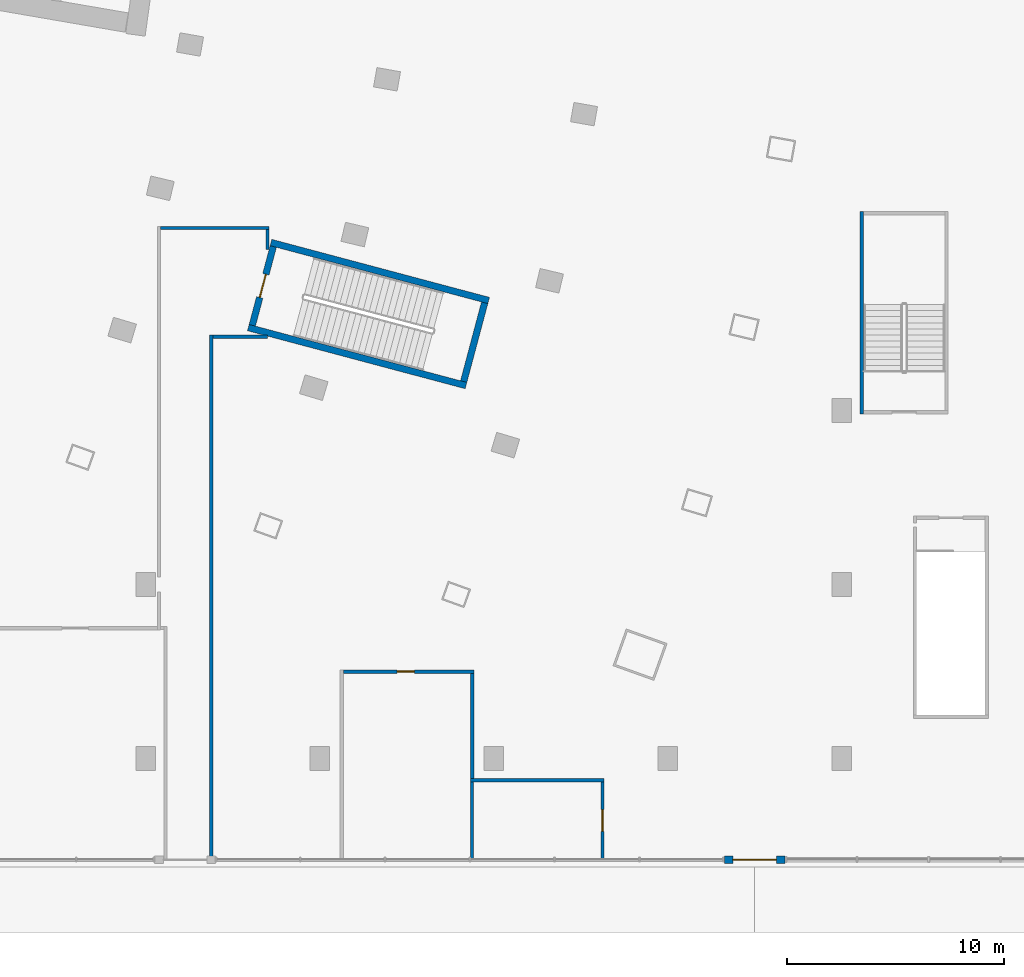
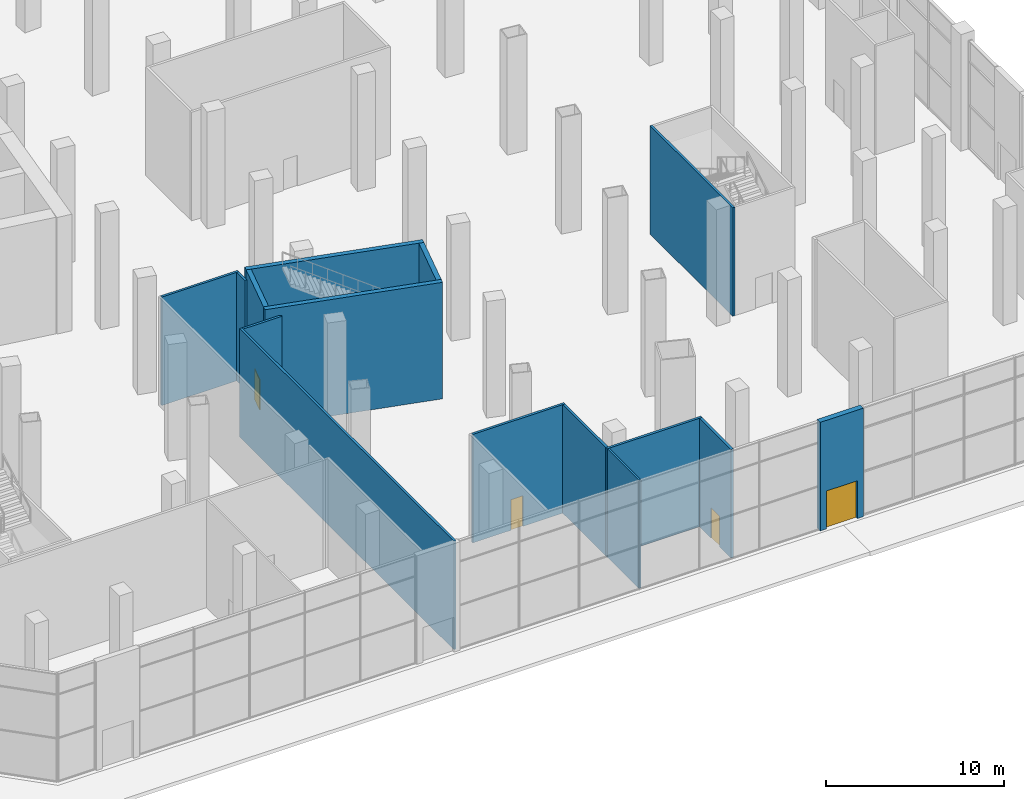
# One storey, part 13 of 33: 15 walls, 4 doors, 4 openings.
"""IFC4 building model written with IfcOpenShell, lengths in metres."""

from ifc_helpers import new_model, si_unit, direction, frame, frame_2d, origin, place, context, subcontext, project, spatial, rectangle, extrude, material, layer, layer_set, type_object, element, fill, save


model = new_model("IFC4")

# Units and contexts
model_context = context("Model", 3, precision=1e-05, world=origin(), true_north=direction((0.0, 1.0)))
body_context = subcontext(model_context, "Body", "Model", "MODEL_VIEW")
ifc_project = project(units=[si_unit("LENGTHUNIT", "METRE"), si_unit("AREAUNIT", "SQUARE_METRE"), si_unit("VOLUMEUNIT", "CUBIC_METRE"), si_unit("PLANEANGLEUNIT", "RADIAN"), si_unit("MASSUNIT", "GRAM", prefix="KILO")], contexts=[model_context])

# Site, building, storey
site_placement = place(None, origin())
site = spatial("IfcSite", under=ifc_project, at=site_placement, CompositionType="ELEMENT")
building_placement = place(site_placement, origin())
building = spatial("IfcBuilding", under=site, at=building_placement, Name="Alderwake Tower", CompositionType="ELEMENT")
storey_placement = place(building_placement, origin())
storey = spatial("IfcBuildingStorey", under=building, at=storey_placement, Name="L00", CompositionType="ELEMENT", Elevation=0.0)

# Walls
ifc_material_1 = material(Name="Concrete C70/85", Category="concrete")
ifc_layer_1 = layer(ifc_material_1, 0.300048828125)
ifc_layer_set_1 = layer_set([ifc_layer_1], Name="Core wall stair enclosure 300 C70-85")
wall_type_1 = type_object("IfcWallType", Name="Core wall stair enclosure 300 C70-85", PredefinedType="SHEAR", material=ifc_layer_set_1)
for number, where, z_axis, x_axis, name in (
    (1, (37.75390625, 31.731201171875, 0.0), (0.0, 0.0, 1.0), (0.966309214305, -0.257383958996, 0.0), "Core wall CW.086"),
    (2, (36.71142578125, 27.817626953125, 0.0), (0.0, 0.0, 1.0), (0.966309214305, -0.257383958996, 0.0), "Core wall CW.088"),
):
    element("IfcWall", number, at=place(storey_placement, frame(where, z_axis=z_axis, x_axis=x_axis)), inside=storey, type_object=wall_type_1, Name=name, PredefinedType="SHEAR", context=body_context, shape_type="SweptSolid", body=[
        extrude(rectangle(XDim=10.360107421875, YDim=0.300048828125, at=frame_2d((5.18017578125, 0.0))), origin(), (0.0, 0.0, 1.0), 8.0),
    ])

# Wall, opening, door
wall_1_placement = place(storey_placement, frame((36.89501953125, 27.923828125, 0.0), z_axis=(0.0, 0.0, 1.0), x_axis=(0.257350630826, 0.966318090907, 0.0)))
wall_1 = element("IfcWall", 3, at=wall_1_placement, inside=storey, type_object=wall_type_1, Name="Core wall CW.087", PredefinedType="SHEAR", context=body_context, shape_type="SweptSolid", body=[
    extrude(rectangle(XDim=3.75, YDim=0.300048828125, at=frame_2d((1.875, 0.0))), origin(), (0.0, 0.0, 1.0), 8.0),
])
opening_1_placement = place(wall_1_placement, frame((1.324951171875, 0.0, 0.0)))
opening_1 = element("IfcOpeningElement", 4, at=opening_1_placement, cuts=wall_1, Name="Opening C065", PredefinedType="OPENING", context=body_context, shape_type="SweptSolid", body=[
    extrude(rectangle(XDim=1.10009765625, YDim=2.10009765625, at=frame_2d((0.550048828125, 1.050048828125))), frame((0.0, 0.159912109375, 0.0), z_axis=(0.0, -1.0, 0.0), x_axis=(1.0, 0.0, 0.0)), (0.0, 0.0, 1.0), 0.320068359375),
])
ifc_material_2 = material(Name="Steel-framed fire door leaf", Category="steel")
door_type_1 = type_object("IfcDoorType", Name="Core stair door 1100 fire-rated", OperationType="SINGLE_SWING_LEFT", PredefinedType="DOOR", material=ifc_material_2)
door_1_placement = place(opening_1_placement, origin())
door_1 = element("IfcDoor", 5, at=door_1_placement, inside=storey, type_object=door_type_1, Name="Stair door", OperationType="SINGLE_SWING_LEFT", OverallHeight=2.10009765625, OverallWidth=1.10009765625, PredefinedType="DOOR", context=body_context, shape_type="SweptSolid", body=[
    extrude(rectangle(XDim=1.10009765625, YDim=2.10009765625, at=frame_2d((0.550048828125, 1.050048828125))), frame((0.0, 0.02490234375, 0.0), z_axis=(0.0, -1.0, 0.0), x_axis=(1.0, 0.0, 0.0)), (0.0, 0.0, 1.0), 0.050048828125),
])
fill(opening_1, door_1)

# Wall
wall_2_placement = place(storey_placement, frame((46.6162109375, 25.334716796875, 0.0), z_axis=(0.0, 0.0, 1.0), x_axis=(0.257366821694, 0.966313778796, 0.0)))
element("IfcWall", 6, at=wall_2_placement, inside=storey, type_object=wall_type_1, Name="Core wall CW.085", PredefinedType="SHEAR", context=body_context, shape_type="SweptSolid", body=[
    extrude(rectangle(XDim=3.749755859375, YDim=0.300048828125, at=frame_2d((1.875, 0.0))), origin(), (0.0, 0.0, 1.0), 8.0),
])

# Wall, opening, door
ifc_material_3 = material(Name="Gypsum board on metal studs, rated")
ifc_layer_2 = layer(ifc_material_3, 0.159912109375)
ifc_layer_set_2 = layer_set([ifc_layer_2], Name="Corridor wall 160")
wall_type_2 = type_object("IfcWallType", Name="Corridor wall 160", PredefinedType="PARTITIONING", material=ifc_layer_set_2)
wall_3_placement = place(storey_placement, frame((41.0810546875, 12.0, 0.0), z_axis=(0.0, 0.0, 1.0), x_axis=(1.0, 0.0, 0.0)))
wall_3 = element("IfcWall", 7, at=wall_3_placement, inside=storey, type_object=wall_type_2, Name="WL/L00/W79", PredefinedType="PARTITIONING", context=body_context, shape_type="SweptSolid", body=[
    extrude(rectangle(XDim=6.0, YDim=0.159912109375, at=frame_2d((3.0, 0.0))), origin(), (0.0, 0.0, 1.0), 7.449951171875),
])
opening_2_placement = place(wall_3_placement, frame((2.468994140625, 0.0, 0.0)))
opening_2 = element("IfcOpeningElement", 8, at=opening_2_placement, cuts=wall_3, Name="Opening L00-13", PredefinedType="OPENING", context=body_context, shape_type="SweptSolid", body=[
    extrude(rectangle(XDim=0.800048828125, YDim=2.10009765625, at=frame_2d((0.39990234375, 1.050048828125))), frame((0.0, 0.08984375, 0.0), z_axis=(0.0, -1.0, 0.0), x_axis=(1.0, 0.0, 0.0)), (0.0, 0.0, 1.0), 0.179931640625),
])
ifc_material_4 = material(Name="Painted timber leaf", Category="wood")
door_type_2 = type_object("IfcDoorType", Name="Bathroom door 800", OperationType="SINGLE_SWING_LEFT", PredefinedType="DOOR", material=ifc_material_4)
door_2_placement = place(opening_2_placement, origin())
door_2 = element("IfcDoor", 9, at=door_2_placement, inside=storey, type_object=door_type_2, Name="DR/L00/13", OperationType="SINGLE_SWING_LEFT", OverallHeight=2.10009765625, OverallWidth=0.800048828125, PredefinedType="DOOR", context=body_context, shape_type="SweptSolid", body=[
    extrude(rectangle(XDim=0.800048828125, YDim=2.10009765625, at=frame_2d((0.39990234375, 1.050048828125))), frame((0.0, 0.02490234375, 0.0), z_axis=(0.0, -1.0, 0.0), x_axis=(1.0, 0.0, 0.0)), (0.0, 0.0, 1.0), 0.050048828125),
])
fill(opening_2, door_2)

# Walls
wall_4_placement = place(storey_placement, frame((46.9208984375, 6.9990234375, 0.0), z_axis=(0.0, 0.0, 1.0), x_axis=(1.0, 0.0, 0.0)))
element("IfcWall", 10, at=wall_4_placement, inside=storey, type_object=wall_type_2, Name="WL/L00/W85", PredefinedType="PARTITIONING", context=body_context, shape_type="SweptSolid", body=[
    extrude(rectangle(XDim=6.16015625, YDim=0.159912109375, at=frame_2d((3.080078125, 0.0))), origin(), (0.0, 0.0, 1.0), 7.449951171875),
])
wall_5_placement = place(storey_placement, frame((47.0009765625, 11.919921875, 0.0), z_axis=(0.0, 0.0, 1.0), x_axis=(0.0, -1.0, 0.0)))
element("IfcWall", 11, at=wall_5_placement, inside=storey, type_object=wall_type_2, Name="WL/L00/W86", PredefinedType="PARTITIONING", context=body_context, shape_type="SweptSolid", body=[
    extrude(rectangle(XDim=4.8408203125, YDim=0.159912109375, at=frame_2d((2.42041015625, 0.0))), origin(), (0.0, 0.0, 1.0), 7.449951171875),
])

# Wall, opening, door
wall_6_placement = place(storey_placement, frame((53.0009765625, 6.9189453125, 0.0), z_axis=(0.0, 0.0, 1.0), x_axis=(0.0, -1.0, 0.0)))
wall_6 = element("IfcWall", 12, at=wall_6_placement, inside=storey, type_object=wall_type_2, Name="WL/L00/W89", PredefinedType="PARTITIONING", context=body_context, shape_type="SweptSolid", body=[
    extrude(rectangle(XDim=3.5390625, YDim=0.159912109375, at=frame_2d((1.76953125, 0.0))), origin(), (0.0, 0.0, 1.0), 7.449951171875),
])
opening_3_placement = place(wall_6_placement, frame((1.26904296875, 0.0, 0.0)))
opening_3 = element("IfcOpeningElement", 13, at=opening_3_placement, cuts=wall_6, Name="Opening L00-14", PredefinedType="OPENING", context=body_context, shape_type="SweptSolid", body=[
    extrude(rectangle(XDim=1.0, YDim=2.10009765625, at=frame_2d((0.5, 1.050048828125))), frame((0.0, 0.08984375, 0.0), z_axis=(0.0, -1.0, 0.0), x_axis=(1.0, 0.0, 0.0)), (0.0, 0.0, 1.0), 0.179931640625),
])
ifc_material_5 = material(Name="Painted timber leaf", Category="wood")
door_type_3 = type_object("IfcDoorType", Name="Accessible WC door 1000", OperationType="SINGLE_SWING_LEFT", PredefinedType="DOOR", material=ifc_material_5)
door_3_placement = place(opening_3_placement, origin())
door_3 = element("IfcDoor", 14, at=door_3_placement, inside=storey, type_object=door_type_3, Name="DR/L00/14", OperationType="SINGLE_SWING_LEFT", OverallHeight=2.10009765625, OverallWidth=1.0, PredefinedType="DOOR", context=body_context, shape_type="SweptSolid", body=[
    extrude(rectangle(XDim=1.0, YDim=2.10009765625, at=frame_2d((0.5, 1.050048828125))), frame((0.0, 0.02490234375, 0.0), z_axis=(0.0, -1.0, 0.0), x_axis=(1.0, 0.0, 0.0)), (0.0, 0.0, 1.0), 0.050048828125),
])
fill(opening_3, door_3)

ifc_material_6 = material(Name="Precast concrete C50/60 spandrel panel", Category="concrete")
ifc_layer_3 = layer(ifc_material_6, 0.35009765625)
ifc_layer_set_3 = layer_set([ifc_layer_3], Name="External wall EW4 Precast concrete C50/60 podium")
wall_type_3 = type_object("IfcWallType", Name="External wall EW4 Precast concrete C50/60 podium", PredefinedType="SOLIDWALL", material=ifc_layer_set_3)
wall_7_placement = place(storey_placement, frame((58.60009765625, 3.35009765625, 0.0), z_axis=(0.0, 0.0, 1.0), x_axis=(1.0, 0.0, 0.0)))
wall_7 = element("IfcWall", 15, at=wall_7_placement, inside=storey, type_object=wall_type_3, Name="External wall 3", PredefinedType="SOLIDWALL", context=body_context, shape_type="SweptSolid", body=[
    extrude(rectangle(XDim=2.7998046875, YDim=0.35009765625, at=frame_2d((1.39990234375, 0.0))), origin(), (0.0, 0.0, 1.0), 7.449951171875),
])
opening_4_placement = place(wall_7_placement, frame((0.39990234375, 0.0, 0.0)))
opening_4 = element("IfcOpeningElement", 16, at=opening_4_placement, cuts=wall_7, Name="Opening D03", PredefinedType="OPENING", context=body_context, shape_type="SweptSolid", body=[
    extrude(rectangle(XDim=2.0, YDim=2.60009765625, at=frame_2d((1.0, 1.300048828125))), frame((0.0, 0.18505859375, 0.0), z_axis=(0.0, -1.0, 0.0), x_axis=(1.0, 0.0, 0.0)), (0.0, 0.0, 1.0), 0.3701171875),
])
ifc_material_7 = material(Name="Bronze tinted glass in aluminium frame", Category="aluminium")
door_type_4 = type_object("IfcDoorType", Name="Entrance door ED double 2000", OperationType="DOUBLE_DOOR_DOUBLE_SWING", PredefinedType="DOOR", material=ifc_material_7)
door_4_placement = place(opening_4_placement, origin())
door_4 = element("IfcDoor", 17, at=door_4_placement, inside=storey, type_object=door_type_4, Name="Door D03", OperationType="DOUBLE_DOOR_DOUBLE_SWING", OverallHeight=2.60009765625, OverallWidth=2.0, PredefinedType="DOOR", context=body_context, shape_type="SweptSolid", body=[
    extrude(rectangle(XDim=2.0, YDim=2.60009765625, at=frame_2d((1.0, 1.300048828125))), frame((0.0, 0.02490234375, 0.0), z_axis=(0.0, -1.0, 0.0), x_axis=(1.0, 0.0, 0.0)), (0.0, 0.0, 1.0), 0.050048828125),
])
fill(opening_4, door_4)

# Walls
ifc_material_8 = material(Name="Gypsum shaft wall system, rated")
ifc_layer_4 = layer(ifc_material_8, 0.14990234375)
ifc_layer_set_4 = layer_set([ifc_layer_4], Name="Riser and shaft wall 150")
wall_type_4 = type_object("IfcWallType", Name="Riser and shaft wall 150", PredefinedType="PARTITIONING", material=ifc_layer_set_4)
wall_8_placement = place(storey_placement, frame((32.676025390625, 32.39990234375, 0.0), z_axis=(0.0, 0.0, 1.0), x_axis=(1.0, 0.0, 0.0)))
element("IfcWall", 18, at=wall_8_placement, inside=storey, type_object=wall_type_4, Name="WL/L00/W14", PredefinedType="PARTITIONING", context=body_context, shape_type="SweptSolid", body=[
    extrude(rectangle(XDim=4.998046875, YDim=0.14990234375, at=frame_2d((2.4990234375, 0.0))), origin(), (0.0, 0.0, 1.0), 7.449951171875),
])
wall_9_placement = place(storey_placement, frame((35.0009765625, 27.47412109375, 0.0), z_axis=(0.0, 0.0, 1.0), x_axis=(0.0, -1.0, 0.0)))
element("IfcWall", 19, at=wall_9_placement, inside=storey, type_object=wall_type_4, Name="WL/L00/W20", PredefinedType="PARTITIONING", context=body_context, shape_type="SweptSolid", body=[
    extrude(rectangle(XDim=24.09423828125, YDim=0.14990234375, at=frame_2d((12.047119140625, 0.0))), origin(), (0.0, 0.0, 1.0), 7.449951171875),
])
wall_10_placement = place(storey_placement, frame((37.59912109375, 27.39892578125, 0.0), z_axis=(0.0, 0.0, 1.0), x_axis=(-1.0, 0.0, 0.0)))
element("IfcWall", 20, at=wall_10_placement, inside=storey, type_object=wall_type_4, Name="WL/L00/W23", PredefinedType="PARTITIONING", context=body_context, shape_type="SweptSolid", body=[
    extrude(rectangle(XDim=2.523193359375, YDim=0.14990234375, at=frame_2d((1.26171875, 0.0))), origin(), (0.0, 0.0, 1.0), 7.449951171875),
])
wall_11_placement = place(storey_placement, frame((37.59912109375, 32.324951171875, 0.0), z_axis=(0.0, 0.0, 1.0), x_axis=(0.0, -1.0, 0.0)))
element("IfcWall", 21, at=wall_11_placement, inside=storey, type_object=wall_type_4, Name="WL/L00/W25", PredefinedType="PARTITIONING", context=body_context, shape_type="SweptSolid", body=[
    extrude(rectangle(XDim=0.9228515625, YDim=0.14990234375, at=frame_2d((0.46142578125, 0.0))), origin(), (0.0, 0.0, 1.0), 7.449951171875),
])
ifc_material_9 = material(Name="Concrete C40/50", Category="concrete")
ifc_layer_5 = layer(ifc_material_9, 0.14990234375)
ifc_layer_set_5 = layer_set([ifc_layer_5], Name="Stair shaft wall 150 C40/50")
wall_type_5 = type_object("IfcWallType", Name="Stair shaft wall 150 C40/50", PredefinedType="SHEAR", material=ifc_layer_set_5)
wall_12_placement = place(storey_placement, frame((64.926025390625, 33.14990234375, 0.0), z_axis=(0.0, 0.0, 1.0), x_axis=(0.0, -1.0, 0.0)))
element("IfcWall", 22, at=wall_12_placement, inside=storey, type_object=wall_type_5, Name="WL/L00/W30", PredefinedType="SHEAR", context=body_context, shape_type="SweptSolid", body=[
    extrude(rectangle(XDim=9.2998046875, YDim=0.14990234375, at=frame_2d((4.64990234375, 0.0))), origin(), (0.0, 0.0, 1.0), 7.449951171875),
])
ifc_material_10 = material(Name="Moisture resistant gypsum board on metal studs")
ifc_layer_6 = layer(ifc_material_10, 0.1201171875)
ifc_layer_set_6 = layer_set([ifc_layer_6], Name="Wet room partition 120")
wall_type_6 = type_object("IfcWallType", Name="Wet room partition 120", PredefinedType="PARTITIONING", material=ifc_layer_set_6)
wall_13_placement = place(storey_placement, frame((47.0009765625, 3.3798828125, 0.0), z_axis=(0.0, 0.0, 1.0), x_axis=(0.0, 1.0, 0.0)))
element("IfcWall", 23, at=wall_13_placement, inside=storey, type_object=wall_type_6, Name="WL/L00/W102", PredefinedType="PARTITIONING", context=body_context, shape_type="SweptSolid", body=[
    extrude(rectangle(XDim=3.5390625, YDim=0.1201171875, at=frame_2d((1.76953125, 0.0))), origin(), (0.0, 0.0, 1.0), 7.449951171875),
])

save(model, "model.ifc")
